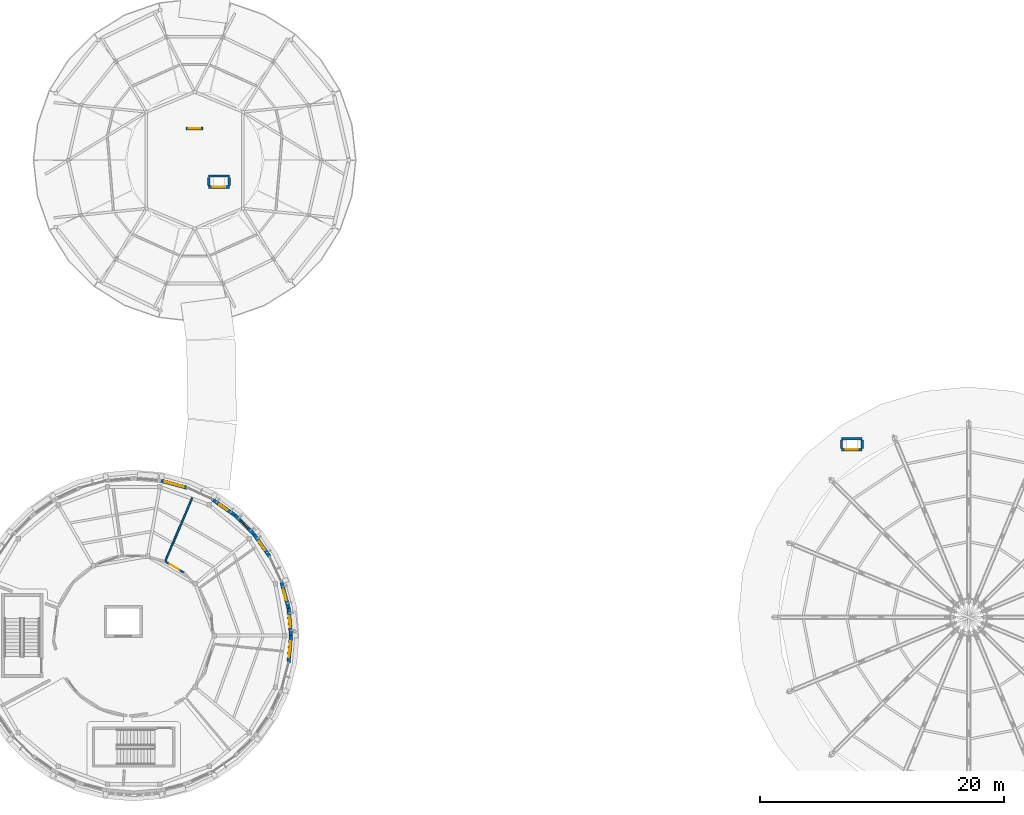
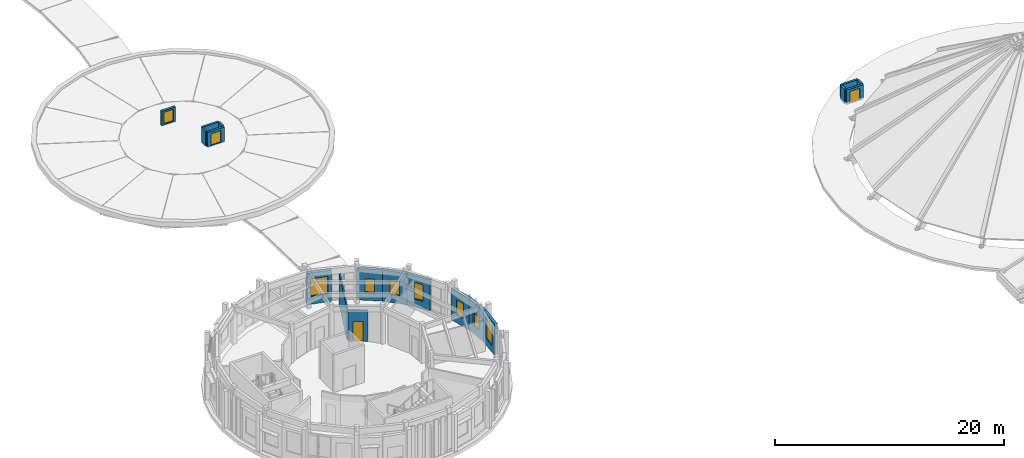
# One storey, part 34 of 58: 18 walls, 8 windows, 3 doors, 11 openings.
"""IFC4 building model written with IfcOpenShell, lengths in metres."""

from ifc_helpers import new_model, si_unit, direction, frame, frame_2d, origin, place, context, subcontext, project, spatial, rectangle, extrude, material, layer, layer_set, type_object, element, fill, save


model = new_model("IFC4")

# Units and contexts
model_context = context("Model", 3, precision=1e-05, world=origin(), true_north=direction((0.0, 1.0)))
body_context = subcontext(model_context, "Body", "Model", "MODEL_VIEW")
ifc_project = project(units=[si_unit("LENGTHUNIT", "METRE"), si_unit("AREAUNIT", "SQUARE_METRE"), si_unit("VOLUMEUNIT", "CUBIC_METRE"), si_unit("PLANEANGLEUNIT", "RADIAN"), si_unit("MASSUNIT", "GRAM", prefix="KILO")], contexts=[model_context])

# Site, building, storey
site_placement = place(None, origin())
site = spatial("IfcSite", under=ifc_project, at=site_placement, CompositionType="ELEMENT")
building_placement = place(site_placement, origin())
building = spatial("IfcBuilding", under=site, at=building_placement, Name="Aldenvaro Health Centre", CompositionType="ELEMENT")
storey_placement = place(building_placement, frame((0.0, 0.0, 8.75)))
storey = spatial("IfcBuildingStorey", under=building, at=storey_placement, Name="L02", CompositionType="ELEMENT", Elevation=8.75)

# Wall, opening, door
ifc_material_1 = material(Name="Gypsum Stud Acoustic Assembly")
ifc_layer_1 = layer(ifc_material_1, 0.1650390625, Name="Gypsum Stud Acoustic Assembly")
ifc_layer_set_1 = layer_set([ifc_layer_1], Name="Gypsum Stud Acoustic Assembly")
wall_type_1 = type_object("IfcWallType", Name="WL-COR-165", PredefinedType="PARTITIONING", material=ifc_layer_set_1)
wall_1_placement = place(storey_placement, frame((22.60888671875, 23.6650390625, 0.0), z_axis=(0.0, 0.0, 1.0), x_axis=(-0.859033212717, 0.511919856471, 0.0)))
wall_1 = element("IfcWall", 1, at=wall_1_placement, inside=storey, type_object=wall_type_1, Name="D5 L02 corridor wall 07.2", PredefinedType="PARTITIONING", context=body_context, shape_type="SweptSolid", body=[
    extrude(rectangle(XDim=1.771728515625, YDim=0.1650390625, at=frame_2d((0.8857421875, 0.0))), origin(), (0.0, 0.0, 1.0), 3.303955078125),
])
opening_1_placement = place(wall_1_placement, frame((0.43505859375, 0.0, 0.0)))
opening_1 = element("IfcOpeningElement", 2, at=opening_1_placement, cuts=wall_1, Name="Opening WD-01", PredefinedType="OPENING", context=body_context, shape_type="SweptSolid", body=[
    extrude(rectangle(XDim=0.89990234375, YDim=2.10009765625, at=frame_2d((0.449951171875, 1.050048828125))), frame((0.0, 0.092529296875, 0.0), z_axis=(0.0, -1.0, 0.0), x_axis=(1.0, 0.0, 0.0)), (0.0, 0.0, 1.0), 0.18505859375),
])
ifc_material_2 = material(Name="Moisture-Resistant Laminate Door")
door_type_1 = type_object("IfcDoorType", Name="DR-WC-01", OperationType="NOTDEFINED", PredefinedType="DOOR", material=ifc_material_2)
door_1_placement = place(opening_1_placement, origin())
door_1 = element("IfcDoor", 3, at=door_1_placement, inside=storey, type_object=door_type_1, Name="Male Staff WC Door", OperationType="SINGLE_SWING_LEFT", OverallHeight=2.10009765625, OverallWidth=0.89990234375, PredefinedType="DOOR", context=body_context, shape_type="SweptSolid", body=[
    extrude(rectangle(XDim=0.89990234375, YDim=2.10009765625, at=frame_2d((0.449951171875, 1.050048828125))), frame((0.0, 0.02490234375, 0.0), z_axis=(0.0, -1.0, 0.0), x_axis=(1.0, 0.0, 0.0)), (0.0, 0.0, 1.0), 0.050048828125),
])
fill(opening_1, door_1)

# Wall, opening, window
ifc_material_3 = material(Name="Cross-laminated timber CLT E1", Category="wood")
ifc_layer_2 = layer(ifc_material_3, 0.2900390625, Name="Cross-laminated timber CLT E1", Category="wood")
ifc_layer_set_2 = layer_set([ifc_layer_2], Name="Cross-laminated timber CLT E1")
wall_type_2 = type_object("IfcWallType", Name="WL-EXT-290", PredefinedType="ELEMENTEDWALL", material=ifc_layer_set_2)
wall_2_placement = place(storey_placement, frame((31.39990234375, 18.5, 0.0), z_axis=(0.0, 0.0, 1.0), x_axis=(-0.087079400775, -0.996201374201, 0.0)))
wall_2 = element("IfcWall", 4, at=wall_2_placement, inside=storey, type_object=wall_type_2, Name="D5 L02 exterior wall 01", PredefinedType="ELEMENTEDWALL", context=body_context, shape_type="SweptSolid", body=[
    extrude(rectangle(XDim=2.24853515625, YDim=0.2900390625, at=frame_2d((1.124267578125, 0.0))), origin(), (0.0, 0.0, 1.0), 3.3291015625),
])
opening_2_placement = place(wall_2_placement, frame((0.47412109375, 0.0, 0.699951171875)))
opening_2 = element("IfcOpeningElement", 5, at=opening_2_placement, cuts=wall_2, Name="Opening W-49", PredefinedType="OPENING", context=body_context, shape_type="SweptSolid", body=[
    extrude(rectangle(XDim=1.300048828125, YDim=2.300048828125, at=frame_2d((0.64990234375, 1.14990234375))), frame((0.0, 0.155029296875, 0.0), z_axis=(0.0, -1.0, 0.0), x_axis=(1.0, 0.0, 0.0)), (0.0, 0.0, 1.0), 0.31005859375),
])
ifc_material_4 = material(Name="Thermally Broken Aluminium Low-E Glass", Category="aluminium")
window_type_1 = type_object("IfcWindowType", Name="WN-EXT-49", PartitioningType="SINGLE_PANEL", PredefinedType="WINDOW", material=ifc_material_4)
window_1_placement = place(opening_2_placement, origin())
window_1 = element("IfcWindow", 6, at=window_1_placement, inside=storey, type_object=window_type_1, Name="D5 L02 clinical window 01", OverallHeight=2.300048828125, OverallWidth=1.300048828125, PartitioningType="SINGLE_PANEL", PredefinedType="WINDOW", context=body_context, shape_type="SweptSolid", body=[
    extrude(rectangle(XDim=1.300048828125, YDim=2.300048828125, at=frame_2d((0.64990234375, 1.14990234375))), frame((0.0, 0.030029296875, 0.0), z_axis=(0.0, -1.0, 0.0), x_axis=(1.0, 0.0, 0.0)), (0.0, 0.0, 1.0), 0.06005859375),
])
fill(opening_2, window_1)

wall_3_placement = place(storey_placement, frame((20.739990234375, 31.2041015625, 0.0), z_axis=(0.0, 0.0, 1.0), x_axis=(0.96592430538, -0.258824721145, 0.0)))
wall_3 = element("IfcWall", 7, at=wall_3_placement, inside=storey, type_object=wall_type_2, Name="D5 L02 exterior wall 29", PredefinedType="ELEMENTEDWALL", context=body_context, shape_type="SweptSolid", body=[
    extrude(rectangle(XDim=2.248779296875, YDim=0.2900390625, at=frame_2d((1.12451171875, 0.0))), origin(), (0.0, 0.0, 1.0), 3.3291015625),
])
opening_3_placement = place(wall_3_placement, frame((0.323974609375, 0.0, 0.85009765625)))
opening_3 = element("IfcOpeningElement", 8, at=opening_3_placement, cuts=wall_3, Name="Opening W-68", PredefinedType="OPENING", context=body_context, shape_type="SweptSolid", body=[
    extrude(rectangle(XDim=1.60009765625, YDim=1.85009765625, at=frame_2d((0.800048828125, 0.925048828125))), frame((0.0, 0.155029296875, 0.0), z_axis=(0.0, -1.0, 0.0), x_axis=(1.0, 0.0, 0.0)), (0.0, 0.0, 1.0), 0.31005859375),
])
window_type_2 = type_object("IfcWindowType", Name="WN-EXT-68", PartitioningType="SINGLE_PANEL", PredefinedType="WINDOW", material=ifc_material_4)
window_2_placement = place(opening_3_placement, origin())
window_2 = element("IfcWindow", 9, at=window_2_placement, inside=storey, type_object=window_type_2, Name="D5 L02 clinical window 29", OverallHeight=1.85009765625, OverallWidth=1.60009765625, PartitioningType="SINGLE_PANEL", PredefinedType="WINDOW", context=body_context, shape_type="SweptSolid", body=[
    extrude(rectangle(XDim=1.60009765625, YDim=1.85009765625, at=frame_2d((0.800048828125, 0.925048828125))), frame((0.0, 0.030029296875, 0.0), z_axis=(0.0, -1.0, 0.0), x_axis=(1.0, 0.0, 0.0)), (0.0, 0.0, 1.0), 0.06005859375),
])
fill(opening_3, window_2)

wall_4_placement = place(storey_placement, frame((24.949951171875, 29.672119140625, 0.0), z_axis=(0.0, 0.0, 1.0), x_axis=(0.819104393925, -0.573644482107, 0.0)))
wall_4 = element("IfcWall", 10, at=wall_4_placement, inside=storey, type_object=wall_type_2, Name="D5 L02 exterior wall 31", PredefinedType="ELEMENTEDWALL", context=body_context, shape_type="SweptSolid", body=[
    extrude(rectangle(XDim=2.248779296875, YDim=0.2900390625, at=frame_2d((1.12451171875, 0.0))), origin(), (0.0, 0.0, 1.0), 3.3291015625),
])
opening_4_placement = place(wall_4_placement, frame((0.714111328125, 0.0, 0.85009765625)))
opening_4 = element("IfcOpeningElement", 11, at=opening_4_placement, cuts=wall_4, Name="Opening W-01", PredefinedType="OPENING", context=body_context, shape_type="SweptSolid", body=[
    extrude(rectangle(XDim=0.820068359375, YDim=1.449951171875, at=frame_2d((0.41015625, 0.72509765625))), frame((0.0, 0.155029296875, 0.0), z_axis=(0.0, -1.0, 0.0), x_axis=(1.0, 0.0, 0.0)), (0.0, 0.0, 1.0), 0.31005859375),
])
window_type_3 = type_object("IfcWindowType", Name="WN-EXT-01", PartitioningType="SINGLE_PANEL", PredefinedType="WINDOW", material=ifc_material_4)
window_3_placement = place(opening_4_placement, origin())
window_3 = element("IfcWindow", 12, at=window_3_placement, inside=storey, type_object=window_type_3, Name="D5 L02 clinical window 31", OverallHeight=1.449951171875, OverallWidth=0.820068359375, PartitioningType="SINGLE_PANEL", PredefinedType="WINDOW", context=body_context, shape_type="SweptSolid", body=[
    extrude(rectangle(XDim=0.820068359375, YDim=1.449951171875, at=frame_2d((0.41015625, 0.72509765625))), frame((0.0, 0.030029296875, 0.0), z_axis=(0.0, -1.0, 0.0), x_axis=(1.0, 0.0, 0.0)), (0.0, 0.0, 1.0), 0.06005859375),
])
fill(opening_4, window_3)

wall_5_placement = place(storey_placement, frame((26.7919921875, 28.382080078125, 0.0), z_axis=(0.0, 0.0, 1.0), x_axis=(0.707106781187, -0.707106781187, 0.0)))
wall_5 = element("IfcWall", 13, at=wall_5_placement, inside=storey, type_object=wall_type_2, Name="D5 L02 exterior wall 32", PredefinedType="ELEMENTEDWALL", context=body_context, shape_type="SweptSolid", body=[
    extrude(rectangle(XDim=2.248779296875, YDim=0.2900390625, at=frame_2d((1.12451171875, 0.0))), origin(), (0.0, 0.0, 1.0), 3.3291015625),
])
opening_5_placement = place(wall_5_placement, frame((0.698974609375, 0.0, 0.85009765625)))
opening_5 = element("IfcOpeningElement", 14, at=opening_5_placement, cuts=wall_5, Name="Opening W-02", PredefinedType="OPENING", context=body_context, shape_type="SweptSolid", body=[
    extrude(rectangle(XDim=0.85009765625, YDim=1.5, at=frame_2d((0.425048828125, 0.75))), frame((0.0, 0.155029296875, 0.0), z_axis=(0.0, -1.0, 0.0), x_axis=(1.0, 0.0, 0.0)), (0.0, 0.0, 1.0), 0.31005859375),
])
window_type_4 = type_object("IfcWindowType", Name="WN-EXT-02", PartitioningType="SINGLE_PANEL", PredefinedType="WINDOW", material=ifc_material_4)
window_4_placement = place(opening_5_placement, origin())
window_4 = element("IfcWindow", 15, at=window_4_placement, inside=storey, type_object=window_type_4, Name="D5 L02 clinical window 32", OverallHeight=1.5, OverallWidth=0.85009765625, PartitioningType="SINGLE_PANEL", PredefinedType="WINDOW", context=body_context, shape_type="SweptSolid", body=[
    extrude(rectangle(XDim=0.85009765625, YDim=1.5, at=frame_2d((0.425048828125, 0.75))), frame((0.0, 0.030029296875, 0.0), z_axis=(0.0, -1.0, 0.0), x_axis=(1.0, 0.0, 0.0)), (0.0, 0.0, 1.0), 0.06005859375),
])
fill(opening_5, window_4)

wall_6_placement = place(storey_placement, frame((28.382080078125, 26.7919921875, 0.0), z_axis=(0.0, 0.0, 1.0), x_axis=(0.573644482107, -0.819104393925, 0.0)))
wall_6 = element("IfcWall", 16, at=wall_6_placement, inside=storey, type_object=wall_type_2, Name="D5 L02 exterior wall 33", PredefinedType="ELEMENTEDWALL", context=body_context, shape_type="SweptSolid", body=[
    extrude(rectangle(XDim=2.248779296875, YDim=0.2900390625, at=frame_2d((1.12451171875, 0.0))), origin(), (0.0, 0.0, 1.0), 3.3291015625),
])
opening_6_placement = place(wall_6_placement, frame((0.698974609375, 0.0, 0.85009765625)))
opening_6 = element("IfcOpeningElement", 17, at=opening_6_placement, cuts=wall_6, Name="Opening W-03", PredefinedType="OPENING", context=body_context, shape_type="SweptSolid", body=[
    extrude(rectangle(XDim=0.85009765625, YDim=1.75, at=frame_2d((0.425048828125, 0.875))), frame((0.0, 0.155029296875, 0.0), z_axis=(0.0, -1.0, 0.0), x_axis=(1.0, 0.0, 0.0)), (0.0, 0.0, 1.0), 0.31005859375),
])
window_type_5 = type_object("IfcWindowType", Name="WN-EXT-03", PartitioningType="SINGLE_PANEL", PredefinedType="WINDOW", material=ifc_material_4)
window_5_placement = place(opening_6_placement, origin())
window_5 = element("IfcWindow", 18, at=window_5_placement, inside=storey, type_object=window_type_5, Name="D5 L02 clinical window 33", OverallHeight=1.75, OverallWidth=0.85009765625, PartitioningType="SINGLE_PANEL", PredefinedType="WINDOW", context=body_context, shape_type="SweptSolid", body=[
    extrude(rectangle(XDim=0.85009765625, YDim=1.75, at=frame_2d((0.425048828125, 0.875))), frame((0.0, 0.030029296875, 0.0), z_axis=(0.0, -1.0, 0.0), x_axis=(1.0, 0.0, 0.0)), (0.0, 0.0, 1.0), 0.06005859375),
])
fill(opening_6, window_5)

wall_7_placement = place(storey_placement, frame((30.6220703125, 22.912109375, 0.0), z_axis=(0.0, 0.0, 1.0), x_axis=(0.258824721145, -0.96592430538, 0.0)))
wall_7 = element("IfcWall", 19, at=wall_7_placement, inside=storey, type_object=wall_type_2, Name="D5 L02 exterior wall 35", PredefinedType="ELEMENTEDWALL", context=body_context, shape_type="SweptSolid", body=[
    extrude(rectangle(XDim=2.248779296875, YDim=0.2900390625, at=frame_2d((1.12451171875, 0.0))), origin(), (0.0, 0.0, 1.0), 3.3291015625),
])
opening_7_placement = place(wall_7_placement, frame((0.68408203125, 0.0, 0.85009765625)))
opening_7 = element("IfcOpeningElement", 20, at=opening_7_placement, cuts=wall_7, Name="Opening W-04", PredefinedType="OPENING", context=body_context, shape_type="SweptSolid", body=[
    extrude(rectangle(XDim=0.8798828125, YDim=1.60009765625, at=frame_2d((0.43994140625, 0.800048828125))), frame((0.0, 0.155029296875, 0.0), z_axis=(0.0, -1.0, 0.0), x_axis=(1.0, 0.0, 0.0)), (0.0, 0.0, 1.0), 0.31005859375),
])
window_type_6 = type_object("IfcWindowType", Name="WN-EXT-04", PartitioningType="SINGLE_PANEL", PredefinedType="WINDOW", material=ifc_material_4)
window_6_placement = place(opening_7_placement, origin())
window_6 = element("IfcWindow", 21, at=window_6_placement, inside=storey, type_object=window_type_6, Name="D5 L02 clinical window 35", OverallHeight=1.60009765625, OverallWidth=0.8798828125, PartitioningType="SINGLE_PANEL", PredefinedType="WINDOW", context=body_context, shape_type="SweptSolid", body=[
    extrude(rectangle(XDim=0.8798828125, YDim=1.60009765625, at=frame_2d((0.43994140625, 0.800048828125))), frame((0.0, 0.030029296875, 0.0), z_axis=(0.0, -1.0, 0.0), x_axis=(1.0, 0.0, 0.0)), (0.0, 0.0, 1.0), 0.06005859375),
])
fill(opening_7, window_6)

wall_8_placement = place(storey_placement, frame((31.2041015625, 20.739990234375, 0.0), z_axis=(0.0, 0.0, 1.0), x_axis=(0.087079400775, -0.996201374201, 0.0)))
wall_8 = element("IfcWall", 22, at=wall_8_placement, inside=storey, type_object=wall_type_2, Name="D5 L02 exterior wall 36", PredefinedType="ELEMENTEDWALL", context=body_context, shape_type="SweptSolid", body=[
    extrude(rectangle(XDim=2.24853515625, YDim=0.2900390625, at=frame_2d((1.124267578125, 0.0))), origin(), (0.0, 0.0, 1.0), 3.3291015625),
])
opening_8_placement = place(wall_8_placement, frame((0.674072265625, 0.0, 0.85009765625)))
opening_8 = element("IfcOpeningElement", 23, at=opening_8_placement, cuts=wall_8, Name="Opening W-05", PredefinedType="OPENING", context=body_context, shape_type="SweptSolid", body=[
    extrude(rectangle(XDim=0.89990234375, YDim=1.39990234375, at=frame_2d((0.449951171875, 0.699951171875))), frame((0.0, 0.155029296875, 0.0), z_axis=(0.0, -1.0, 0.0), x_axis=(1.0, 0.0, 0.0)), (0.0, 0.0, 1.0), 0.31005859375),
])
window_type_7 = type_object("IfcWindowType", Name="WN-EXT-05", PartitioningType="SINGLE_PANEL", PredefinedType="WINDOW", material=ifc_material_4)
window_7_placement = place(opening_8_placement, origin())
window_7 = element("IfcWindow", 24, at=window_7_placement, inside=storey, type_object=window_type_7, Name="D5 L02 clinical window 36", OverallHeight=1.39990234375, OverallWidth=0.89990234375, PartitioningType="SINGLE_PANEL", PredefinedType="WINDOW", context=body_context, shape_type="SweptSolid", body=[
    extrude(rectangle(XDim=0.89990234375, YDim=1.39990234375, at=frame_2d((0.449951171875, 0.699951171875))), frame((0.0, 0.030029296875, 0.0), z_axis=(0.0, -1.0, 0.0), x_axis=(1.0, 0.0, 0.0)), (0.0, 0.0, 1.0), 0.06005859375),
])
fill(opening_8, window_7)

# Walls
ifc_material_5 = material(Name="Concrete f'c 35 MPa", Category="concrete")
ifc_layer_3 = layer(ifc_material_5, 0.195068359375, Name="Concrete f'c 35 MPa", Category="concrete")
ifc_layer_set_3 = layer_set([ifc_layer_3], Name="Concrete f'c 35 MPa")
wall_type_3 = type_object("IfcWallType", Name="WL-PAR-195", PredefinedType="PARAPET", material=ifc_layer_set_3)
wall_9_placement = place(storey_placement, frame((76.570068359375, 34.64990234375, 0.195068359375), z_axis=(0.0, 0.0, 1.0), x_axis=(1.0, 0.0, 0.0)))
element("IfcWall", 25, at=wall_9_placement, inside=storey, type_object=wall_type_3, Name="D1 Roof Access Curb Wall N-1", PredefinedType="PARAPET", context=body_context, shape_type="SweptSolid", body=[
    extrude(rectangle(XDim=1.699951171875, YDim=0.195068359375, at=frame_2d((0.85009765625, 0.0))), origin(), (0.0, 0.0, 1.0), 1.550048828125),
])
for number, where, z_axis, x_axis, name in (
    (26, (76.570068359375, 33.860107421875, 0.195068359375), (0.0, 0.0, 1.0), (0.0, 1.0, 0.0), "D1 Roof Access Curb Wall W-1"),
    (27, (78.27001953125, 34.550048828125, 0.195068359375), (0.0, 0.0, 1.0), (0.0, -1.0, 0.0), "D1 Roof Access Curb Wall E-1"),
):
    element("IfcWall", number, at=place(storey_placement, frame(where, z_axis=z_axis, x_axis=x_axis)), inside=storey, type_object=wall_type_3, Name=name, PredefinedType="PARAPET", context=body_context, shape_type="SweptSolid", body=[
        extrude(rectangle(XDim=0.68994140625, YDim=0.195068359375, at=frame_2d((0.344970703125, 0.0))), origin(), (0.0, 0.0, 1.0), 1.550048828125),
    ])
wall_10_placement = place(storey_placement, frame((24.64990234375, 56.199951171875, 0.794921875), z_axis=(0.0, 0.0, 1.0), x_axis=(1.0, 0.0, 0.0)))
element("IfcWall", 28, at=wall_10_placement, inside=storey, type_object=wall_type_3, Name="D3 Roof Access Curb Wall N-3", PredefinedType="PARAPET", context=body_context, shape_type="SweptSolid", body=[
    extrude(rectangle(XDim=1.7001953125, YDim=0.195068359375, at=frame_2d((0.85009765625, 0.0))), origin(), (0.0, 0.0, 1.0), 1.550048828125),
])
for number, where, z_axis, x_axis, name in (
    (29, (24.64990234375, 55.409912109375, 0.794921875), (0.0, 0.0, 1.0), (0.0, 1.0, 0.0), "D3 Roof Access Curb Wall W-3"),
    (30, (26.35009765625, 56.10009765625, 0.794921875), (0.0, 0.0, 1.0), (0.0, -1.0, 0.0), "D3 Roof Access Curb Wall E-3"),
):
    element("IfcWall", number, at=place(storey_placement, frame(where, z_axis=z_axis, x_axis=x_axis)), inside=storey, type_object=wall_type_3, Name=name, PredefinedType="PARAPET", context=body_context, shape_type="SweptSolid", body=[
        extrude(rectangle(XDim=0.690185546875, YDim=0.195068359375, at=frame_2d((0.34521484375, 0.0))), origin(), (0.0, 0.0, 1.0), 1.550048828125),
    ])

# Wall, opening, window
ifc_layer_4 = layer(ifc_material_5, 0.219970703125, Name="Concrete f'c 35 MPa", Category="concrete")
ifc_layer_set_4 = layer_set([ifc_layer_4], Name="Concrete f'c 35 MPa")
wall_type_4 = type_object("IfcWallType", Name="WL-PAR-220", PredefinedType="PARAPET", material=ifc_layer_set_4)
wall_11_placement = place(storey_placement, frame((22.804931640625, 60.10009765625, 0.794921875), z_axis=(0.0, 0.0, 1.0), x_axis=(1.0, 0.0, 0.0)))
wall_11 = element("IfcWall", 31, at=wall_11_placement, inside=storey, type_object=wall_type_4, Name="D3 Clinical Clerestory Skylight Curb 6", PredefinedType="PARAPET", context=body_context, shape_type="SweptSolid", body=[
    extrude(rectangle(XDim=1.39013671875, YDim=0.219970703125, at=frame_2d((0.695068359375, 0.0))), origin(), (0.0, 0.0, 1.0), 1.550048828125),
])
opening_9_placement = place(wall_11_placement, frame((0.219970703125, 0.0, 0.1201171875)))
opening_9 = element("IfcOpeningElement", 32, at=opening_9_placement, cuts=wall_11, Name="Opening SK-02", PredefinedType="OPENING", context=body_context, shape_type="SweptSolid", body=[
    extrude(rectangle(XDim=0.949951171875, YDim=1.25, at=frame_2d((0.47509765625, 0.625))), frame((0.0, 0.1201171875, 0.0), z_axis=(0.0, -1.0, 0.0), x_axis=(1.0, 0.0, 0.0)), (0.0, 0.0, 1.0), 0.239990234375),
])
ifc_material_6 = material(Name="Laminated Solar Control Skylight Glass", Category="glass")
window_type_8 = type_object("IfcWindowType", Name="WN-SKY-02", PartitioningType="SINGLE_PANEL", PredefinedType="SKYLIGHT", material=ifc_material_6)
window_8_placement = place(opening_9_placement, origin())
window_8 = element("IfcWindow", 33, at=window_8_placement, inside=storey, type_object=window_type_8, Name="D3 Clinical Clerestory Skylight 6", OverallHeight=1.25, OverallWidth=0.949951171875, PartitioningType="SINGLE_PANEL", PredefinedType="SKYLIGHT", context=body_context, shape_type="SweptSolid", body=[
    extrude(rectangle(XDim=0.949951171875, YDim=1.25, at=frame_2d((0.47509765625, 0.625))), frame((0.0, 0.030029296875, 0.0), z_axis=(0.0, -1.0, 0.0), x_axis=(1.0, 0.0, 0.0)), (0.0, 0.0, 1.0), 0.06005859375),
])
fill(opening_9, window_8)

# Wall, opening, door
wall_12_placement = place(storey_placement, frame((78.27001953125, 33.75, 0.195068359375), z_axis=(0.0, 0.0, 1.0), x_axis=(-1.0, 0.0, 0.0)))
wall_12 = element("IfcWall", 34, at=wall_12_placement, inside=storey, type_object=wall_type_4, Name="D1 Roof Access Curb Wall S-1", PredefinedType="PARAPET", context=body_context, shape_type="SweptSolid", body=[
    extrude(rectangle(XDim=1.699951171875, YDim=0.219970703125, at=frame_2d((0.85009765625, 0.0))), origin(), (0.0, 0.0, 1.0), 1.550048828125),
])
opening_10_placement = place(wall_12_placement, frame((0.35009765625, 0.0, 0.050048828125)))
opening_10 = element("IfcOpeningElement", 35, at=opening_10_placement, cuts=wall_12, Name="Opening HT-01", PredefinedType="OPENING", context=body_context, shape_type="SweptSolid", body=[
    extrude(rectangle(XDim=1.0, YDim=1.25, at=frame_2d((0.5, 0.625))), frame((0.0, 0.1201171875, 0.0), z_axis=(0.0, -1.0, 0.0), x_axis=(1.0, 0.0, 0.0)), (0.0, 0.0, 1.0), 0.239990234375),
])
ifc_material_7 = material(Name="Insulated Powder-Coated Aluminium", Category="aluminium")
door_type_2 = type_object("IfcDoorType", Name="DR-TRAP-01", OperationType="NOTDEFINED", PredefinedType="TRAPDOOR", material=ifc_material_7)
door_2_placement = place(opening_10_placement, origin())
door_2 = element("IfcDoor", 36, at=door_2_placement, inside=storey, type_object=door_type_2, Name="D1 Roof Maintenance Access Hatch 1", OperationType="SINGLE_SWING_LEFT", OverallHeight=1.25, OverallWidth=1.0, PredefinedType="TRAPDOOR", context=body_context, shape_type="SweptSolid", body=[
    extrude(rectangle(XDim=1.0, YDim=1.25, at=frame_2d((0.5, 0.625))), frame((0.0, 0.02490234375, 0.0), z_axis=(0.0, -1.0, 0.0), x_axis=(1.0, 0.0, 0.0)), (0.0, 0.0, 1.0), 0.050048828125),
])
fill(opening_10, door_2)

wall_13_placement = place(storey_placement, frame((26.35009765625, 55.300048828125, 0.794921875), z_axis=(0.0, 0.0, 1.0), x_axis=(-1.0, 0.0, 0.0)))
wall_13 = element("IfcWall", 37, at=wall_13_placement, inside=storey, type_object=wall_type_4, Name="D3 Roof Access Curb Wall S-3", PredefinedType="PARAPET", context=body_context, shape_type="SweptSolid", body=[
    extrude(rectangle(XDim=1.7001953125, YDim=0.219970703125, at=frame_2d((0.85009765625, 0.0))), origin(), (0.0, 0.0, 1.0), 1.550048828125),
])
opening_11_placement = place(wall_13_placement, frame((0.35009765625, 0.0, 0.050048828125)))
opening_11 = element("IfcOpeningElement", 38, at=opening_11_placement, cuts=wall_13, Name="Opening HT-01", PredefinedType="OPENING", context=body_context, shape_type="SweptSolid", body=[
    extrude(rectangle(XDim=1.0, YDim=1.25, at=frame_2d((0.5, 0.625))), frame((0.0, 0.1201171875, 0.0), z_axis=(0.0, -1.0, 0.0), x_axis=(1.0, 0.0, 0.0)), (0.0, 0.0, 1.0), 0.239990234375),
])
door_3_placement = place(opening_11_placement, origin())
door_3 = element("IfcDoor", 39, at=door_3_placement, inside=storey, type_object=door_type_2, Name="D3 Roof Maintenance Access Hatch 3", OperationType="SINGLE_SWING_LEFT", OverallHeight=1.25, OverallWidth=1.0, PredefinedType="TRAPDOOR", context=body_context, shape_type="SweptSolid", body=[
    extrude(rectangle(XDim=1.0, YDim=1.25, at=frame_2d((0.5, 0.625))), frame((0.0, 0.02490234375, 0.0), z_axis=(0.0, -1.0, 0.0), x_axis=(1.0, 0.0, 0.0)), (0.0, 0.0, 1.0), 0.050048828125),
])
fill(opening_11, door_3)

# Wall
ifc_material_8 = material(Name="Moisture-Resistant Plumbing Stud Wall")
ifc_layer_5 = layer(ifc_material_8, 0.135009765625, Name="Moisture-Resistant Plumbing Stud Wall")
ifc_layer_set_5 = layer_set([ifc_layer_5], Name="Moisture-Resistant Plumbing Stud Wall")
wall_type_5 = type_object("IfcWallType", Name="WL-WET-135", PredefinedType="PLUMBINGWALL", material=ifc_layer_set_5)
wall_14_placement = place(storey_placement, frame((21.111083984375, 24.652099609375, 0.0), z_axis=(0.0, 0.0, 1.0), x_axis=(0.390762345339, 0.920491602061, 0.0)))
element("IfcWall", 40, at=wall_14_placement, inside=storey, type_object=wall_type_5, Name="D5 L02 clinical partition 8.1", PredefinedType="PLUMBINGWALL", context=body_context, shape_type="SweptSolid", body=[
    extrude(rectangle(XDim=5.576171875, YDim=0.135009765625, at=frame_2d((2.7880859375, 0.0))), origin(), (0.0, 0.0, 1.0), 3.303955078125),
])

save(model, "model.ifc")
